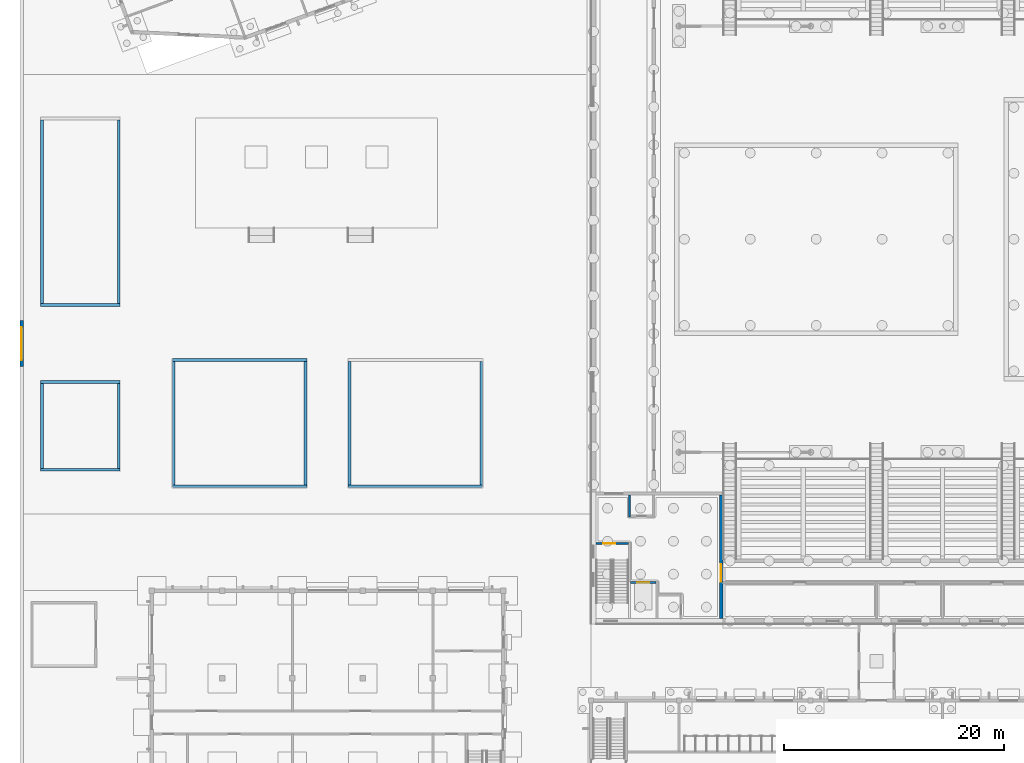
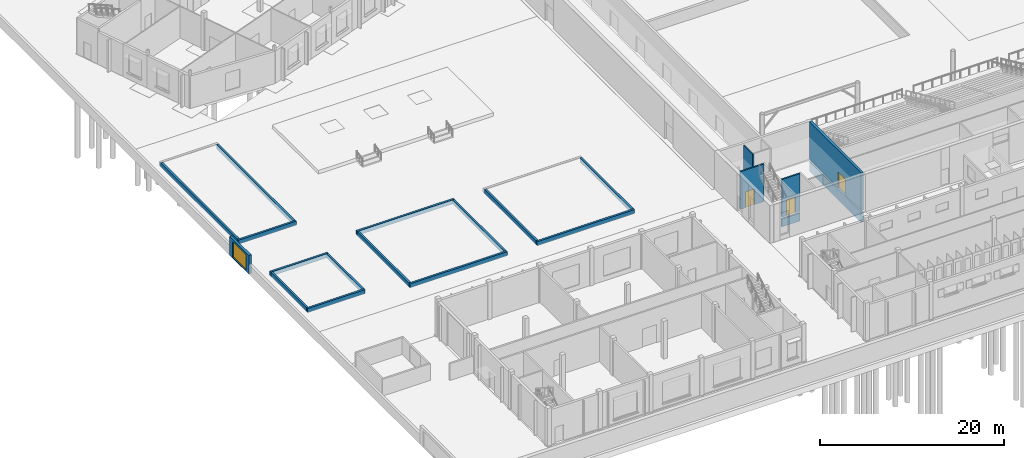
# One storey, part 77 of 157: 21 walls, 4 doors, 4 openings.
"""IFC4 building model written with IfcOpenShell, lengths in metres."""

from ifc_helpers import new_model, si_unit, direction, frame, frame_2d, origin, place, context, subcontext, project, spatial, rectangle, extrude, material, layer, layer_set, type_object, element, fill, save


model = new_model("IFC4")

# Units and contexts
model_context = context("Model", 3, precision=1e-05, world=origin(), true_north=direction((0.0, 1.0)))
body_context = subcontext(model_context, "Body", "Model", "MODEL_VIEW")
ifc_project = project(units=[si_unit("LENGTHUNIT", "METRE"), si_unit("AREAUNIT", "SQUARE_METRE"), si_unit("VOLUMEUNIT", "CUBIC_METRE"), si_unit("PLANEANGLEUNIT", "RADIAN"), si_unit("MASSUNIT", "GRAM", prefix="KILO")], contexts=[model_context])

# Site, building, storey
site_placement = place(None, origin())
site = spatial("IfcSite", under=ifc_project, at=site_placement, CompositionType="ELEMENT")
building_placement = place(site_placement, origin())
building = spatial("IfcBuilding", under=site, at=building_placement, Name="Windward Yard Aquatics Centre", CompositionType="ELEMENT")
storey_placement = place(building_placement, origin())
storey = spatial("IfcBuildingStorey", under=building, at=storey_placement, Name="L00", CompositionType="ELEMENT", Elevation=0.0)

# Wall, opening, door
ifc_material_1 = material(Name="Concrete C35/45", Category="concrete")
ifc_layer_1 = layer(ifc_material_1, 0.199951171875)
ifc_layer_set_1 = layer_set([ifc_layer_1], Name="H Enclosure Wall Concrete C35/45 200")
wall_type_1 = type_object("IfcWallType", Name="H Enclosure Wall Concrete C35/45 200", PredefinedType="SOLIDWALL", material=ifc_layer_set_1)
wall_1_placement = place(storey_placement, frame((52.449951171875, 33.300048828125, 0.0), z_axis=(0.0, 0.0, 1.0), x_axis=(1.0, 0.0, 0.0)))
wall_1 = element("IfcWall", 1, at=wall_1_placement, inside=storey, type_object=wall_type_1, Name="L00 W2 enclosure wall SW", PredefinedType="SOLIDWALL", context=body_context, shape_type="SweptSolid", body=[
    extrude(rectangle(XDim=2.949951171875, YDim=0.199951171875, at=frame_2d((1.47509765625, 0.0))), origin(), (0.0, 0.0, 1.0), 5.0),
])
opening_1_placement = place(wall_1_placement, frame((0.64990234375, 0.0, 0.0)))
opening_1 = element("IfcOpeningElement", 2, at=opening_1_placement, cuts=wall_1, Name="Opening H0001", PredefinedType="OPENING", context=body_context, shape_type="SweptSolid", body=[
    extrude(rectangle(XDim=1.10009765625, YDim=2.10009765625, at=frame_2d((0.550048828125, 1.050048828125))), frame((0.0, 0.10986328125, 0.0), z_axis=(0.0, -1.0, 0.0), x_axis=(1.0, 0.0, 0.0)), (0.0, 0.0, 1.0), 0.219970703125),
])
ifc_material_2 = material(Name="Steel and timber door leaf", Category="steel")
door_type_1 = type_object("IfcDoorType", Name="H Door Single 1100 x 2100 FD60", OperationType="NOTDEFINED", PredefinedType="DOOR", material=ifc_material_2)
door_1_placement = place(opening_1_placement, origin())
door_1 = element("IfcDoor", 3, at=door_1_placement, inside=storey, type_object=door_type_1, Name="L00 stair SW door", OperationType="SINGLE_SWING_LEFT", OverallHeight=2.10009765625, OverallWidth=1.10009765625, PredefinedType="DOOR", context=body_context, shape_type="SweptSolid", body=[
    extrude(rectangle(XDim=1.10009765625, YDim=2.10009765625, at=frame_2d((0.550048828125, 1.050048828125))), frame((0.0, 0.02490234375, 0.0), z_axis=(0.0, -1.0, 0.0), x_axis=(1.0, 0.0, 0.0)), (0.0, 0.0, 1.0), 0.050048828125),
])
fill(opening_1, door_1)

wall_2_placement = place(storey_placement, frame((55.60009765625, 29.75, 0.0), z_axis=(0.0, 0.0, 1.0), x_axis=(1.0, 0.0, 0.0)))
wall_2 = element("IfcWall", 4, at=wall_2_placement, inside=storey, type_object=wall_type_1, Name="L00 W4 enclosure wall SW", PredefinedType="SOLIDWALL", context=body_context, shape_type="SweptSolid", body=[
    extrude(rectangle(XDim=2.2998046875, YDim=0.199951171875, at=frame_2d((1.14990234375, 0.0))), origin(), (0.0, 0.0, 1.0), 5.0),
])
opening_2_placement = place(wall_2_placement, frame((0.60009765625, 0.0, 0.0)))
opening_2 = element("IfcOpeningElement", 5, at=opening_2_placement, cuts=wall_2, Name="Opening H0002", PredefinedType="OPENING", context=body_context, shape_type="SweptSolid", body=[
    extrude(rectangle(XDim=1.10009765625, YDim=2.10009765625, at=frame_2d((0.550048828125, 1.050048828125))), frame((0.0, 0.10986328125, 0.0), z_axis=(0.0, -1.0, 0.0), x_axis=(1.0, 0.0, 0.0)), (0.0, 0.0, 1.0), 0.219970703125),
])
ifc_material_3 = material(Name="Stainless steel 1.4301", Category="steel")
door_type_2 = type_object("IfcDoorType", Name="H Lift Landing Door 1100 x 2100", OperationType="DOUBLE_DOOR_SLIDING", PredefinedType="DOOR", material=ifc_material_3)
door_2_placement = place(opening_2_placement, origin())
door_2 = element("IfcDoor", 6, at=door_2_placement, inside=storey, type_object=door_type_2, Name="Lift SW landing door L00", OperationType="DOUBLE_DOOR_SLIDING", OverallHeight=2.10009765625, OverallWidth=1.10009765625, PredefinedType="DOOR", context=body_context, shape_type="SweptSolid", body=[
    extrude(rectangle(XDim=1.10009765625, YDim=2.10009765625, at=frame_2d((0.550048828125, 1.050048828125))), frame((0.0, 0.02490234375, 0.0), z_axis=(0.0, -1.0, 0.0), x_axis=(1.0, 0.0, 0.0)), (0.0, 0.0, 1.0), 0.050048828125),
])
fill(opening_2, door_2)

# Walls
ifc_layer_2 = layer(ifc_material_1, 0.199951171875)
ifc_layer_set_2 = layer_set([ifc_layer_2], Name="H Lift Pit Wall Concrete C35/45 200")
wall_type_2 = type_object("IfcWallType", Name="H Lift Pit Wall Concrete C35/45 200", PredefinedType="SOLIDWALL", material=ifc_layer_set_2)
wall_3_placement = place(storey_placement, frame((55.60009765625, 29.75, -1.300048828125), z_axis=(0.0, 0.0, 1.0), x_axis=(1.0, 0.0, 0.0)))
element("IfcWall", 7, at=wall_3_placement, inside=storey, type_object=wall_type_2, Name="Lift pit wall P4 SW", PredefinedType="SOLIDWALL", context=body_context, shape_type="SweptSolid", body=[
    extrude(rectangle(XDim=2.2998046875, YDim=0.199951171875, at=frame_2d((1.14990234375, 0.0))), origin(), (0.0, 0.0, 1.0), 1.050048828125),
])
ifc_material_4 = material(Name="Blockwork 150 mm", Category="masonry")
ifc_layer_3 = layer(ifc_material_4, 0.14990234375)
ifc_layer_set_3 = layer_set([ifc_layer_3], Name="H Partition Blockwork 150")
wall_type_3 = type_object("IfcWallType", Name="H Partition Blockwork 150", PredefinedType="PARTITIONING", material=ifc_layer_set_3)
wall_4_placement = place(storey_placement, frame((55.5, 35.72509765625, 0.0), z_axis=(0.0, 0.0, 1.0), x_axis=(0.0, 1.0, 0.0)))
element("IfcWall", 8, at=wall_4_placement, inside=storey, type_object=wall_type_3, Name="L00 R2W riser wall SW", PredefinedType="PARTITIONING", context=body_context, shape_type="SweptSolid", body=[
    extrude(rectangle(XDim=1.974853515625, YDim=0.14990234375, at=frame_2d((0.9873046875, 0.0))), origin(), (0.0, 0.0, 1.0), 4.75),
])
ifc_layer_4 = layer(ifc_material_1, 0.300048828125)
ifc_layer_set_4 = layer_set([ifc_layer_4], Name="H rear wall 300 C35/45")
wall_type_4 = type_object("IfcWallType", Name="H rear wall 300 C35/45", PredefinedType="SOLIDWALL", material=ifc_layer_set_4)
wall_5_placement = place(storey_placement, frame((63.85009765625, 26.449951171875, -1.60009765625), z_axis=(0.0, 0.0, 1.0), x_axis=(0.0, 1.0, 0.0)))
element("IfcWall", 9, at=wall_5_placement, inside=storey, type_object=wall_type_4, Name="H.CW.SW.E.PIT", PredefinedType="SOLIDWALL", context=body_context, shape_type="SweptSolid", body=[
    extrude(rectangle(XDim=11.25, YDim=0.300048828125, at=frame_2d((5.625, 0.0))), origin(), (0.0, 0.0, 1.0), 1.35009765625),
])

# Wall, opening, door
wall_6_placement = place(storey_placement, frame((63.85009765625, 26.449951171875, 0.0), z_axis=(0.0, 0.0, 1.0), x_axis=(0.0, 1.0, 0.0)))
wall_6 = element("IfcWall", 10, at=wall_6_placement, inside=storey, type_object=wall_type_4, Name="H.CW.SW.E.L00", PredefinedType="SOLIDWALL", context=body_context, shape_type="SweptSolid", body=[
    extrude(rectangle(XDim=11.25, YDim=0.300048828125, at=frame_2d((5.625, 0.0))), origin(), (0.0, 0.0, 1.0), 5.0),
])
opening_3_placement = place(wall_6_placement, frame((3.3701171875, 0.0, 0.0)))
opening_3 = element("IfcOpeningElement", 11, at=opening_3_placement, cuts=wall_6, Name="Opening H0005", PredefinedType="OPENING", context=body_context, shape_type="SweptSolid", body=[
    extrude(rectangle(XDim=1.60009765625, YDim=2.10009765625, at=frame_2d((0.800048828125, 1.050048828125))), frame((0.0, 0.16015625, 0.0), z_axis=(0.0, -1.0, 0.0), x_axis=(1.0, 0.0, 0.0)), (0.0, 0.0, 1.0), 0.320068359375),
])
door_type_3 = type_object("IfcDoorType", Name="H Door Double 1600 x 2100 FD60", OperationType="DOUBLE_DOOR_SINGLE_SWING", PredefinedType="DOOR", material=ifc_material_2)
door_3_placement = place(opening_3_placement, origin())
door_3 = element("IfcDoor", 12, at=door_3_placement, inside=storey, type_object=door_type_3, Name="L00 core SW door to strip", OperationType="DOUBLE_DOOR_SINGLE_SWING", OverallHeight=2.10009765625, OverallWidth=1.60009765625, PredefinedType="DOOR", context=body_context, shape_type="SweptSolid", body=[
    extrude(rectangle(XDim=1.60009765625, YDim=2.10009765625, at=frame_2d((0.800048828125, 1.050048828125))), frame((0.0, 0.02490234375, 0.0), z_axis=(0.0, -1.0, 0.0), x_axis=(1.0, 0.0, 0.0)), (0.0, 0.0, 1.0), 0.050048828125),
])
fill(opening_3, door_3)

ifc_material_5 = material(Name="Concrete C30/37", Category="concrete")
ifc_layer_5 = layer(ifc_material_5, 0.300048828125)
ifc_layer_set_5 = layer_set([ifc_layer_5], Name="X Gate Wall Concrete C30/37 300 x 2400")
wall_type_5 = type_object("IfcWallType", Name="X Gate Wall Concrete C30/37 300 x 2400", PredefinedType="SOLIDWALL", material=ifc_layer_set_5)
wall_7_placement = place(storey_placement, frame((0.14990234375, 49.39990234375, -0.10009765625), z_axis=(0.0, 0.0, 1.0), x_axis=(0.0, 1.0, 0.0)))
wall_7 = element("IfcWall", 13, at=wall_7_placement, inside=storey, type_object=wall_type_5, Name="Gate wall W2", PredefinedType="SOLIDWALL", context=body_context, shape_type="SweptSolid", body=[
    extrude(rectangle(XDim=4.2001953125, YDim=0.300048828125, at=frame_2d((2.10009765625, 0.0))), origin(), (0.0, 0.0, 1.0), 2.5),
])
opening_4_placement = place(wall_7_placement, frame((0.60009765625, 0.0, 0.10009765625)))
opening_4 = element("IfcOpeningElement", 14, at=opening_4_placement, cuts=wall_7, Name="Opening X0007", PredefinedType="OPENING", context=body_context, shape_type="SweptSolid", body=[
    extrude(rectangle(XDim=3.0, YDim=2.10009765625, at=frame_2d((1.5, 1.050048828125))), frame((0.0, 0.16015625, 0.0), z_axis=(0.0, -1.0, 0.0), x_axis=(1.0, 0.0, 0.0)), (0.0, 0.0, 1.0), 0.320068359375),
])
ifc_material_6 = material(Name="Galvanised steel gate leaf", Category="steel")
door_type_4 = type_object("IfcDoorType", Name="X Pedestrian Gate Double 3000 x 2100", OperationType="DOUBLE_DOOR_DOUBLE_SWING", PredefinedType="DOOR", material=ifc_material_6)
door_4_placement = place(opening_4_placement, origin())
door_4 = element("IfcDoor", 15, at=door_4_placement, inside=storey, type_object=door_type_4, Name="Pedestrian exit gate G2", OperationType="DOUBLE_DOOR_DOUBLE_SWING", OverallHeight=2.10009765625, OverallWidth=3.0, PredefinedType="DOOR", context=body_context, shape_type="SweptSolid", body=[
    extrude(rectangle(XDim=3.0, YDim=2.10009765625, at=frame_2d((1.5, 1.050048828125))), frame((0.0, 0.02490234375, 0.0), z_axis=(0.0, -1.0, 0.0), x_axis=(1.0, 0.0, 0.0)), (0.0, 0.0, 1.0), 0.050048828125),
])
fill(opening_4, door_4)

# Walls
ifc_material_7 = material(Name="Bituminous waterproofing membrane with root barrier")
ifc_layer_6 = layer(ifc_material_7, 0.005, Name="Waterproofing and root barrier")
ifc_layer_7 = layer(ifc_material_5, 0.245, Name="Structure")
ifc_layer_set_6 = layer_set([ifc_layer_6, ifc_layer_7], Name="X Planter Wall Concrete C30/37 250 x 550")
wall_type_6 = type_object("IfcWallType", Name="X Planter Wall Concrete C30/37 250 x 550", PredefinedType="USERDEFINED", material=ifc_layer_set_6)
for number, where, z_axis, x_axis, name in (
    (16, (13.875, 38.5, -0.10009765625), (0.0, 0.0, 1.0), (1.0, 0.0, 0.0), "Rain garden planter wall"),
    (17, (13.875, 50.0, -0.10009765625), (0.0, 0.0, 1.0), (1.0, 0.0, 0.0), "Rain garden planter wall"),
):
    element("IfcWall", number, at=place(storey_placement, frame(where, z_axis=z_axis, x_axis=x_axis)), inside=storey, type_object=wall_type_6, Name=name, ObjectType="PLANTER WALL", PredefinedType="USERDEFINED", context=body_context, shape_type="SweptSolid", body=[
        extrude(rectangle(XDim=12.25, YDim=0.25, at=frame_2d((6.125, 0.0))), origin(), (0.0, 0.0, 1.0), 0.550048828125),
    ])
for number, where, z_axis, x_axis, name in (
    (18, (14.0, 38.625, -0.10009765625), (0.0, 0.0, 1.0), (0.0, 1.0, 0.0), "Rain garden planter wall"),
    (19, (26.0, 38.625, -0.10009765625), (0.0, 0.0, 1.0), (0.0, 1.0, 0.0), "Rain garden planter wall"),
):
    element("IfcWall", number, at=place(storey_placement, frame(where, z_axis=z_axis, x_axis=x_axis)), inside=storey, type_object=wall_type_6, Name=name, ObjectType="PLANTER WALL", PredefinedType="USERDEFINED", context=body_context, shape_type="SweptSolid", body=[
        extrude(rectangle(XDim=11.25, YDim=0.25, at=frame_2d((5.625, 0.0))), origin(), (0.0, 0.0, 1.0), 0.550048828125),
    ])
wall_8_placement = place(storey_placement, frame((29.875, 38.5, -0.10009765625), z_axis=(0.0, 0.0, 1.0), x_axis=(1.0, 0.0, 0.0)))
element("IfcWall", 20, at=wall_8_placement, inside=storey, type_object=wall_type_6, Name="Shade tree garden planter wall", ObjectType="PLANTER WALL", PredefinedType="USERDEFINED", context=body_context, shape_type="SweptSolid", body=[
    extrude(rectangle(XDim=12.25, YDim=0.25, at=frame_2d((6.125, 0.0))), origin(), (0.0, 0.0, 1.0), 0.550048828125),
])
for number, where, z_axis, x_axis, name in (
    (21, (30.0, 38.625, -0.10009765625), (0.0, 0.0, 1.0), (0.0, 1.0, 0.0), "Shade tree garden planter wall"),
    (22, (42.0, 38.625, -0.10009765625), (0.0, 0.0, 1.0), (0.0, 1.0, 0.0), "Shade tree garden planter wall"),
):
    element("IfcWall", number, at=place(storey_placement, frame(where, z_axis=z_axis, x_axis=x_axis)), inside=storey, type_object=wall_type_6, Name=name, ObjectType="PLANTER WALL", PredefinedType="USERDEFINED", context=body_context, shape_type="SweptSolid", body=[
        extrude(rectangle(XDim=11.25, YDim=0.25, at=frame_2d((5.625, 0.0))), origin(), (0.0, 0.0, 1.0), 0.550048828125),
    ])
for number, where, z_axis, x_axis, name in (
    (23, (1.875, 40.0, -0.10009765625), (0.0, 0.0, 1.0), (1.0, 0.0, 0.0), "West boundary garden south planter wall"),
    (24, (1.875, 48.0, -0.10009765625), (0.0, 0.0, 1.0), (1.0, 0.0, 0.0), "West boundary garden south planter wall"),
):
    element("IfcWall", number, at=place(storey_placement, frame(where, z_axis=z_axis, x_axis=x_axis)), inside=storey, type_object=wall_type_6, Name=name, ObjectType="PLANTER WALL", PredefinedType="USERDEFINED", context=body_context, shape_type="SweptSolid", body=[
        extrude(rectangle(XDim=7.25, YDim=0.25, at=frame_2d((3.625, 0.0))), origin(), (0.0, 0.0, 1.0), 0.550048828125),
    ])
for number, where, z_axis, x_axis, name in (
    (25, (2.0, 40.125, -0.10009765625), (0.0, 0.0, 1.0), (0.0, 1.0, 0.0), "West boundary garden south planter wall"),
    (26, (9.0, 40.125, -0.10009765625), (0.0, 0.0, 1.0), (0.0, 1.0, 0.0), "West boundary garden south planter wall"),
):
    element("IfcWall", number, at=place(storey_placement, frame(where, z_axis=z_axis, x_axis=x_axis)), inside=storey, type_object=wall_type_6, Name=name, ObjectType="PLANTER WALL", PredefinedType="USERDEFINED", context=body_context, shape_type="SweptSolid", body=[
        extrude(rectangle(XDim=7.75, YDim=0.25, at=frame_2d((3.875, 0.0))), origin(), (0.0, 0.0, 1.0), 0.550048828125),
    ])
wall_9_placement = place(storey_placement, frame((1.875, 55.0, -0.10009765625), z_axis=(0.0, 0.0, 1.0), x_axis=(1.0, 0.0, 0.0)))
element("IfcWall", 27, at=wall_9_placement, inside=storey, type_object=wall_type_6, Name="West boundary garden north planter wall", ObjectType="PLANTER WALL", PredefinedType="USERDEFINED", context=body_context, shape_type="SweptSolid", body=[
    extrude(rectangle(XDim=7.25, YDim=0.25, at=frame_2d((3.625, 0.0))), origin(), (0.0, 0.0, 1.0), 0.550048828125),
])
for number, where, z_axis, x_axis, name in (
    (28, (2.0, 55.125, -0.10009765625), (0.0, 0.0, 1.0), (0.0, 1.0, 0.0), "West boundary garden north planter wall"),
    (29, (9.0, 55.125, -0.10009765625), (0.0, 0.0, 1.0), (0.0, 1.0, 0.0), "West boundary garden north planter wall"),
):
    element("IfcWall", number, at=place(storey_placement, frame(where, z_axis=z_axis, x_axis=x_axis)), inside=storey, type_object=wall_type_6, Name=name, ObjectType="PLANTER WALL", PredefinedType="USERDEFINED", context=body_context, shape_type="SweptSolid", body=[
        extrude(rectangle(XDim=16.75, YDim=0.25, at=frame_2d((8.375, 0.0))), origin(), (0.0, 0.0, 1.0), 0.550048828125),
    ])

save(model, "model.ifc")
